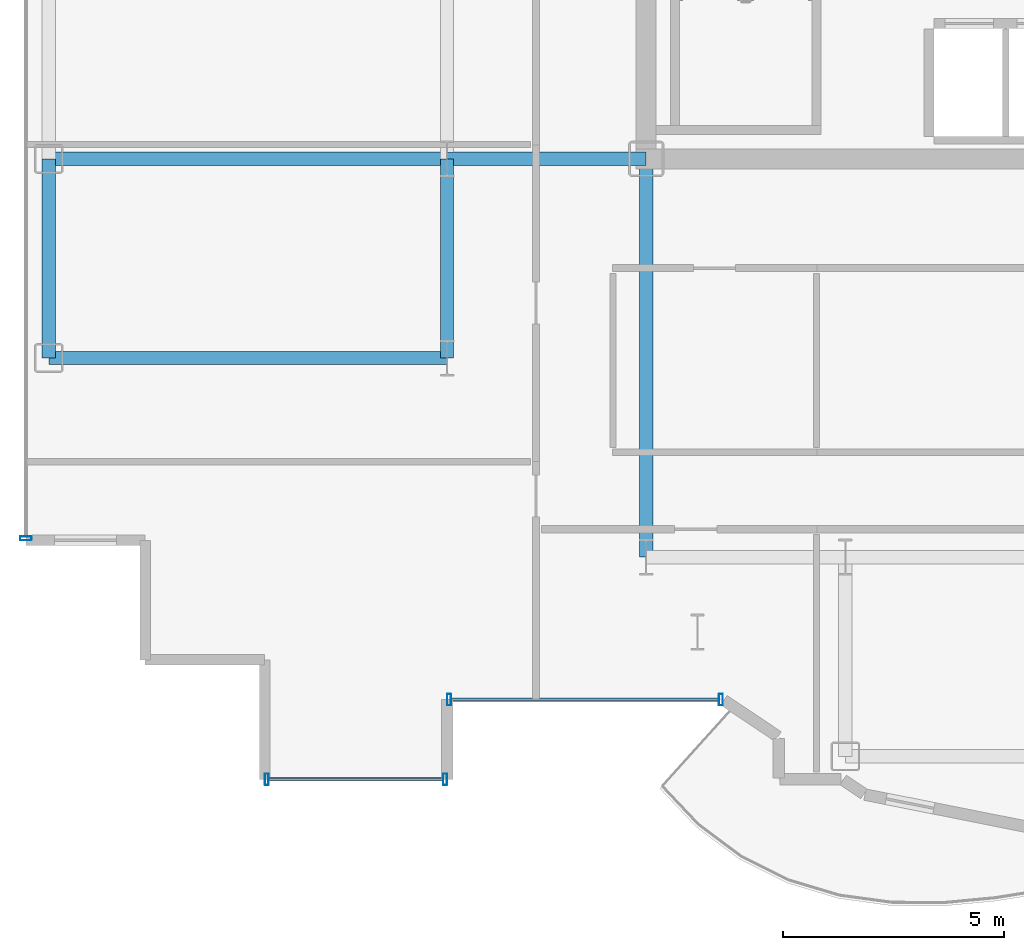
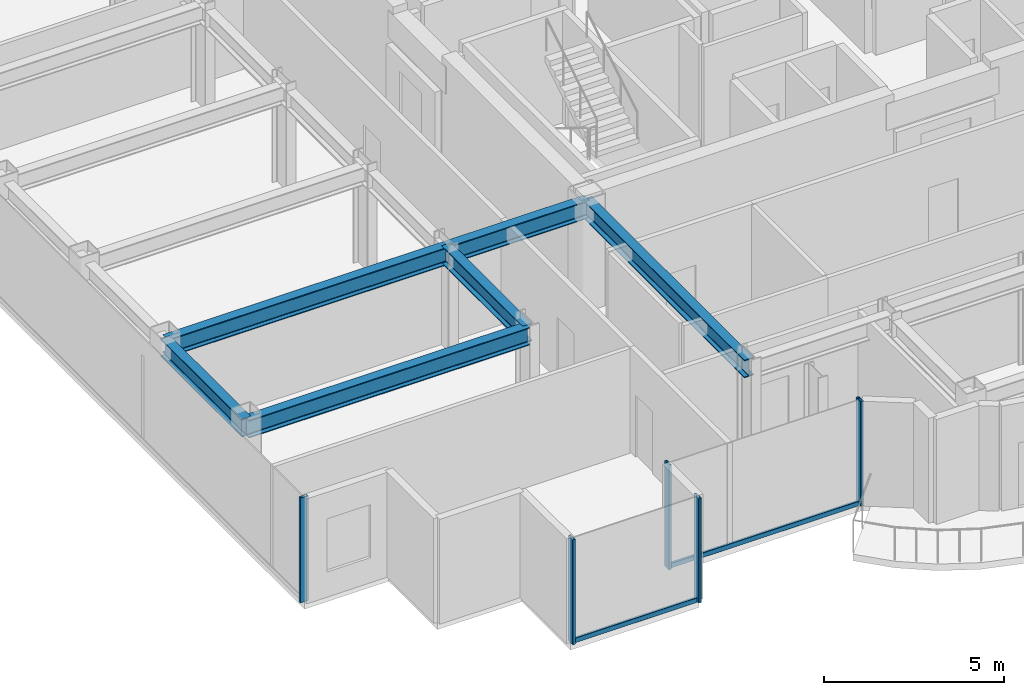
# One storey, part 2 of 21: 7 members, 6 beams, 3 elements without a shape of their own.
"""IFC4 building model written with IfcOpenShell, lengths in metres."""

from ifc_helpers import new_model, si_unit, direction, frame, origin, origin_2d, place, context, subcontext, project, spatial, hollow_rectangle, i_section, extrude, source, transform, mapped, material, layer, layer_set, material_profile, profile_set, type_object, element, aggregate, save


model = new_model("IFC4")

# Units and contexts
model_context = context("Model", 3, precision=1e-05, world=origin(), true_north=direction((0.0, 1.0)))
body_context = subcontext(model_context, "Body", "Model", "MODEL_VIEW")
ifc_project = project(units=[si_unit("LENGTHUNIT", "METRE"), si_unit("AREAUNIT", "SQUARE_METRE"), si_unit("VOLUMEUNIT", "CUBIC_METRE"), si_unit("PLANEANGLEUNIT", "RADIAN"), si_unit("MASSUNIT", "GRAM", prefix="KILO")], contexts=[model_context])

# Site, building, storey
site_placement = place(None, origin())
site = spatial("IfcSite", under=ifc_project, at=site_placement, CompositionType="ELEMENT")
building_placement = place(site_placement, origin())
building = spatial("IfcBuilding", under=site, at=building_placement, Name="Nefas-Gora Pilgrimage Tower", CompositionType="ELEMENT")
storey_placement = place(building_placement, frame((0.0, 0.0, 248.39990234375)))
storey = spatial("IfcBuildingStorey", under=building, at=storey_placement, Name="L62", CompositionType="ELEMENT", Elevation=248.39990234375)

# Beams
ifc_material_1 = material(Name="Steel S355", Category="steel")
ifc_material_profile_1 = material_profile(ifc_material_1, i_section(OverallWidth=0.300048828125, OverallDepth=0.60009765625, WebThickness=0.015380859375, FlangeThickness=0.030029296875, FilletRadius=0.027099609375, at=origin_2d()), Name="HEB 600")
ifc_profile_set_1 = profile_set([ifc_material_profile_1], Name="Steel S355")
beam_type_1 = type_object("IfcBeamType", Name="BM-SPN-HEB450", PredefinedType="SPANDREL", material=ifc_profile_set_1)
shared_shape_1 = source(origin(), body_context, "Body", "SweptSolid", [
    extrude(i_section(OverallWidth=0.300048828125, OverallDepth=0.60009765625, WebThickness=0.015380859375, FlangeThickness=0.030029296875, FilletRadius=0.027099609375, at=origin_2d()), origin(), (0.0, 0.0, 1.0), 4.5),
])
beam_placement = place(storey_placement, frame((-24.75, -13.5, 3.25), z_axis=(0.0, 1.0, 0.0), x_axis=(-1.0, 0.0, 0.0)))
element("IfcBeam", 1, at=beam_placement, inside=storey, type_object=beam_type_1, Name="L62 SP-03 beam", PredefinedType="SPANDREL", context=body_context, shape_type="MappedRepresentation", body=[
    mapped(shared_shape_1, transform((0.0, 0.0, 0.0), x_axis=(1.0, 0.0, 0.0), y_axis=(0.0, 1.0, 0.0), z_axis=(0.0, 0.0, 1.0), scale=1.0)),
])
ifc_material_profile_2 = material_profile(ifc_material_1, i_section(OverallWidth=0.300048828125, OverallDepth=0.60009765625, WebThickness=0.015380859375, FlangeThickness=0.030029296875, FilletRadius=0.027099609375, at=origin_2d()), Name="HEB 600")
ifc_profile_set_2 = profile_set([ifc_material_profile_2], Name="Steel S355")
beam_type_2 = type_object("IfcBeamType", Name="BM-GIR-HEB600", PredefinedType="BEAM", material=ifc_profile_set_2)
shared_shape_2 = source(origin(), body_context, "Body", "SweptSolid", [
    extrude(i_section(OverallWidth=0.300048828125, OverallDepth=0.60009765625, WebThickness=0.015380859375, FlangeThickness=0.030029296875, FilletRadius=0.027099609375, at=origin_2d()), origin(), (0.0, 0.0, 1.0), 9.0),
])
for number, where, z_axis, x_axis, name in (
    (2, (-24.75, -13.5, 3.25), (1.0, 0.0, 0.0), (0.0, 1.0, 0.0), "L62 G-04 beam"),
    (3, (-24.75, -9.0, 3.25), (1.0, 0.0, 0.0), (0.0, 1.0, 0.0), "L62 G-04 beam"),
    (4, (-11.25, -18.0, 3.25), (0.0, 1.0, 0.0), (-1.0, 0.0, 0.0), "L62 G-04 beam"),
):
    element("IfcBeam", number, at=place(storey_placement, frame(where, z_axis=z_axis, x_axis=x_axis)), inside=storey, type_object=beam_type_2, Name=name, PredefinedType="BEAM", context=body_context, shape_type="MappedRepresentation", body=[
        mapped(shared_shape_2, transform((0.0, 0.0, 0.0), x_axis=(1.0, 0.0, 0.0), y_axis=(0.0, 1.0, 0.0), z_axis=(0.0, 0.0, 1.0), scale=1.0)),
    ])
shared_shape_3 = source(origin(), body_context, "Body", "SweptSolid", [
    extrude(i_section(OverallWidth=0.300048828125, OverallDepth=0.60009765625, WebThickness=0.015380859375, FlangeThickness=0.030029296875, FilletRadius=0.027099609375, at=origin_2d()), origin(), (0.0, 0.0, 1.0), 4.5),
])
for number, where, z_axis, x_axis, name in (
    (5, (-15.75, -13.5, 3.25), (0.0, 1.0, 0.0), (-1.0, 0.0, 0.0), "L62 G-04 beam"),
    (6, (-15.75, -9.0, 3.25), (1.0, 0.0, 0.0), (0.0, 1.0, 0.0), "L62 G-04 beam"),
):
    element("IfcBeam", number, at=place(storey_placement, frame(where, z_axis=z_axis, x_axis=x_axis)), inside=storey, type_object=beam_type_2, Name=name, PredefinedType="BEAM", context=body_context, shape_type="MappedRepresentation", body=[
        mapped(shared_shape_3, transform((0.0, 0.0, 0.0), x_axis=(1.0, 0.0, 0.0), y_axis=(0.0, 1.0, 0.0), z_axis=(0.0, 0.0, 1.0), scale=1.0)),
    ])

# Curtain wall, members
ifc_material_2 = material(Name="Dark ceramic-fritted solar-control aluminium-glass curtain wall", Category="aluminium")
ifc_layer_1 = layer(ifc_material_2, 0.219970703125)
ifc_layer_set_1 = layer_set([ifc_layer_1], Name="Dark ceramic-fritted solar-control aluminium-glass curtain wall")
curtain_wall_type_1 = type_object("IfcCurtainWallType", Name="CW-SYS-5", PredefinedType="NOTDEFINED", material=ifc_layer_set_1)
curtain_wall_1_placement = place(storey_placement, origin())
curtain_wall_1 = element("IfcCurtainWall", 7, at=curtain_wall_1_placement, inside=storey, type_object=curtain_wall_type_1, Name="L62 Unitised Curtain Wall CW5", PredefinedType="NOTDEFINED")
ifc_material_3 = material(Name="Anodised architectural aluminium", Category="aluminium")
ifc_material_profile_3 = material_profile(ifc_material_3, hollow_rectangle(XDim=0.090087890625, YDim=0.260009765625, WallThickness=0.006103515625, InnerFilletRadius=0.006103515625, OuterFilletRadius=0.011962890625, at=origin_2d()), Name="ALU MULLION 90x260")
ifc_profile_set_3 = profile_set([ifc_material_profile_3], Name="Anodised architectural aluminium")
member_type_1 = type_object("IfcMemberType", Name="CWM-MUL-5", PredefinedType="MULLION", material=ifc_profile_set_3)
shared_shape_4 = source(origin(), body_context, "Body", "SweptSolid", [
    extrude(hollow_rectangle(XDim=0.090087890625, YDim=0.260009765625, WallThickness=0.006103515625, InnerFilletRadius=0.006103515625, OuterFilletRadius=0.011962890625, at=origin_2d()), origin(), (0.0, 0.0, 1.0), 3.550048828125),
])
member_1_placement = place(storey_placement, frame((-15.705078125, -21.219970703125, 0.0), z_axis=(0.0, 0.0, 1.0), x_axis=(1.0, 0.0, 0.0)))
member_1 = element("IfcMember", 8, at=member_1_placement, type_object=member_type_1, Name="CW5 Mullion 1", PredefinedType="MULLION", context=body_context, shape_type="MappedRepresentation", body=[
    mapped(shared_shape_4, transform((0.0, 0.0, 0.0), x_axis=(1.0, 0.0, 0.0), y_axis=(0.0, 1.0, 0.0), z_axis=(0.0, 0.0, 1.0), scale=1.0)),
])
member_2_placement = place(storey_placement, frame((-9.56298828125, -21.219970703125, 0.0), z_axis=(0.0, 0.0, 1.0), x_axis=(1.0, 0.0, 0.0)))
member_2 = element("IfcMember", 9, at=member_2_placement, type_object=member_type_1, Name="CW5 Mullion 2", PredefinedType="MULLION", context=body_context, shape_type="MappedRepresentation", body=[
    mapped(shared_shape_4, transform((0.0, 0.0, 0.0), x_axis=(1.0, 0.0, 0.0), y_axis=(0.0, 1.0, 0.0), z_axis=(0.0, 0.0, 1.0), scale=1.0)),
])
ifc_material_profile_4 = material_profile(ifc_material_3, hollow_rectangle(XDim=0.080078125, YDim=0.159912109375, WallThickness=0.00439453125, InnerFilletRadius=0.00439453125, OuterFilletRadius=0.009033203125, at=origin_2d()), Name="ALU TRANSOM 80x160")
ifc_profile_set_4 = profile_set([ifc_material_profile_4], Name="Anodised architectural aluminium")
member_type_2 = type_object("IfcMemberType", Name="CWM-TRN-5", PredefinedType="USERDEFINED", material=ifc_profile_set_4)
shared_shape_5 = source(origin(), body_context, "Body", "SweptSolid", [
    extrude(hollow_rectangle(XDim=0.080078125, YDim=0.159912109375, WallThickness=0.00439453125, InnerFilletRadius=0.00439453125, OuterFilletRadius=0.009033203125, at=origin_2d()), origin(), (0.0, 0.0, 1.0), 6.052001953125),
])
member_3_placement = place(storey_placement, frame((-15.659912109375, -21.219970703125, 0.050048828125), z_axis=(1.0, 0.0, 0.0), x_axis=(0.0, 1.0, 0.0)))
member_3 = element("IfcMember", 10, at=member_3_placement, type_object=member_type_2, Name="CW5 Spandrel Transom", ObjectType="TRANSOM", PredefinedType="USERDEFINED", context=body_context, shape_type="MappedRepresentation", body=[
    mapped(shared_shape_5, transform((0.0, 0.0, 0.0), x_axis=(1.0, 0.0, 0.0), y_axis=(0.0, 1.0, 0.0), z_axis=(0.0, 0.0, 1.0), scale=1.0)),
])
aggregate(curtain_wall_1, [member_1, member_2, member_3])

# Curtain wall, member
ifc_layer_2 = layer(ifc_material_2, 0.219970703125)
ifc_layer_set_2 = layer_set([ifc_layer_2], Name="Dark ceramic-fritted solar-control aluminium-glass curtain wall")
curtain_wall_type_2 = type_object("IfcCurtainWallType", Name="CW-SYS-3", PredefinedType="NOTDEFINED", material=ifc_layer_set_2)
curtain_wall_2_placement = place(storey_placement, origin())
curtain_wall_2 = element("IfcCurtainWall", 11, at=curtain_wall_2_placement, inside=storey, type_object=curtain_wall_type_2, Name="L62 Unitised Curtain Wall CW3", PredefinedType="NOTDEFINED")
ifc_material_profile_5 = material_profile(ifc_material_3, hollow_rectangle(XDim=0.090087890625, YDim=0.260009765625, WallThickness=0.006103515625, InnerFilletRadius=0.006103515625, OuterFilletRadius=0.011962890625, at=origin_2d()), Name="ALU MULLION 90x260")
ifc_profile_set_5 = profile_set([ifc_material_profile_5], Name="Anodised architectural aluminium")
member_type_3 = type_object("IfcMemberType", Name="CWM-MUL-3", PredefinedType="MULLION", material=ifc_profile_set_5)
shared_shape_6 = source(origin(), body_context, "Body", "SweptSolid", [
    extrude(hollow_rectangle(XDim=0.090087890625, YDim=0.260009765625, WallThickness=0.006103515625, InnerFilletRadius=0.006103515625, OuterFilletRadius=0.011962890625, at=origin_2d()), origin(), (0.0, 0.0, 1.0), 3.550048828125),
])
member_4_placement = place(storey_placement, frame((-25.27001953125, -17.574951171875, 0.0), z_axis=(0.0, 0.0, 1.0), x_axis=(0.0, -1.0, 0.0)))
member_4 = element("IfcMember", 12, at=member_4_placement, type_object=member_type_3, Name="CW3 Mullion 2", PredefinedType="MULLION", context=body_context, shape_type="MappedRepresentation", body=[
    mapped(shared_shape_6, transform((0.0, 0.0, 0.0), x_axis=(1.0, 0.0, 0.0), y_axis=(0.0, 1.0, 0.0), z_axis=(0.0, 0.0, 1.0), scale=1.0)),
])
aggregate(curtain_wall_2, [member_4])

# Curtain wall, members
curtain_wall_3_placement = place(storey_placement, origin())
curtain_wall_3 = element("IfcCurtainWall", 13, at=curtain_wall_3_placement, inside=storey, type_object=curtain_wall_type_2, Name="L62 Unitised Curtain Wall CW3", PredefinedType="NOTDEFINED")
member_5_placement = place(storey_placement, frame((-19.824951171875, -23.02001953125, 0.0), z_axis=(0.0, 0.0, 1.0), x_axis=(1.0, 0.0, 0.0)))
member_5 = element("IfcMember", 14, at=member_5_placement, type_object=member_type_3, Name="CW3 Mullion 1", PredefinedType="MULLION", context=body_context, shape_type="MappedRepresentation", body=[
    mapped(shared_shape_6, transform((0.0, 0.0, 0.0), x_axis=(1.0, 0.0, 0.0), y_axis=(0.0, 1.0, 0.0), z_axis=(0.0, 0.0, 1.0), scale=1.0)),
])
member_6_placement = place(storey_placement, frame((-15.794921875, -23.02001953125, 0.0), z_axis=(0.0, 0.0, 1.0), x_axis=(1.0, 0.0, 0.0)))
member_6 = element("IfcMember", 15, at=member_6_placement, type_object=member_type_3, Name="CW3 Mullion 2", PredefinedType="MULLION", context=body_context, shape_type="MappedRepresentation", body=[
    mapped(shared_shape_6, transform((0.0, 0.0, 0.0), x_axis=(1.0, 0.0, 0.0), y_axis=(0.0, 1.0, 0.0), z_axis=(0.0, 0.0, 1.0), scale=1.0)),
])
ifc_material_profile_6 = material_profile(ifc_material_3, hollow_rectangle(XDim=0.080078125, YDim=0.159912109375, WallThickness=0.00439453125, InnerFilletRadius=0.00439453125, OuterFilletRadius=0.009033203125, at=origin_2d()), Name="ALU TRANSOM 80x160")
ifc_profile_set_6 = profile_set([ifc_material_profile_6], Name="Anodised architectural aluminium")
member_type_4 = type_object("IfcMemberType", Name="CWM-TRN-3", PredefinedType="USERDEFINED", material=ifc_profile_set_6)
shared_shape_7 = source(origin(), body_context, "Body", "SweptSolid", [
    extrude(hollow_rectangle(XDim=0.080078125, YDim=0.159912109375, WallThickness=0.00439453125, InnerFilletRadius=0.00439453125, OuterFilletRadius=0.009033203125, at=origin_2d()), origin(), (0.0, 0.0, 1.0), 3.93994140625),
])
member_7_placement = place(storey_placement, frame((-19.780029296875, -23.02001953125, 0.050048828125), z_axis=(1.0, 0.0, 0.0), x_axis=(0.0, 1.0, 0.0)))
member_7 = element("IfcMember", 16, at=member_7_placement, type_object=member_type_4, Name="CW3 Spandrel Transom", ObjectType="TRANSOM", PredefinedType="USERDEFINED", context=body_context, shape_type="MappedRepresentation", body=[
    mapped(shared_shape_7, transform((0.0, 0.0, 0.0), x_axis=(1.0, 0.0, 0.0), y_axis=(0.0, 1.0, 0.0), z_axis=(0.0, 0.0, 1.0), scale=1.0)),
])
aggregate(curtain_wall_3, [member_5, member_6, member_7])

save(model, "model.ifc")
